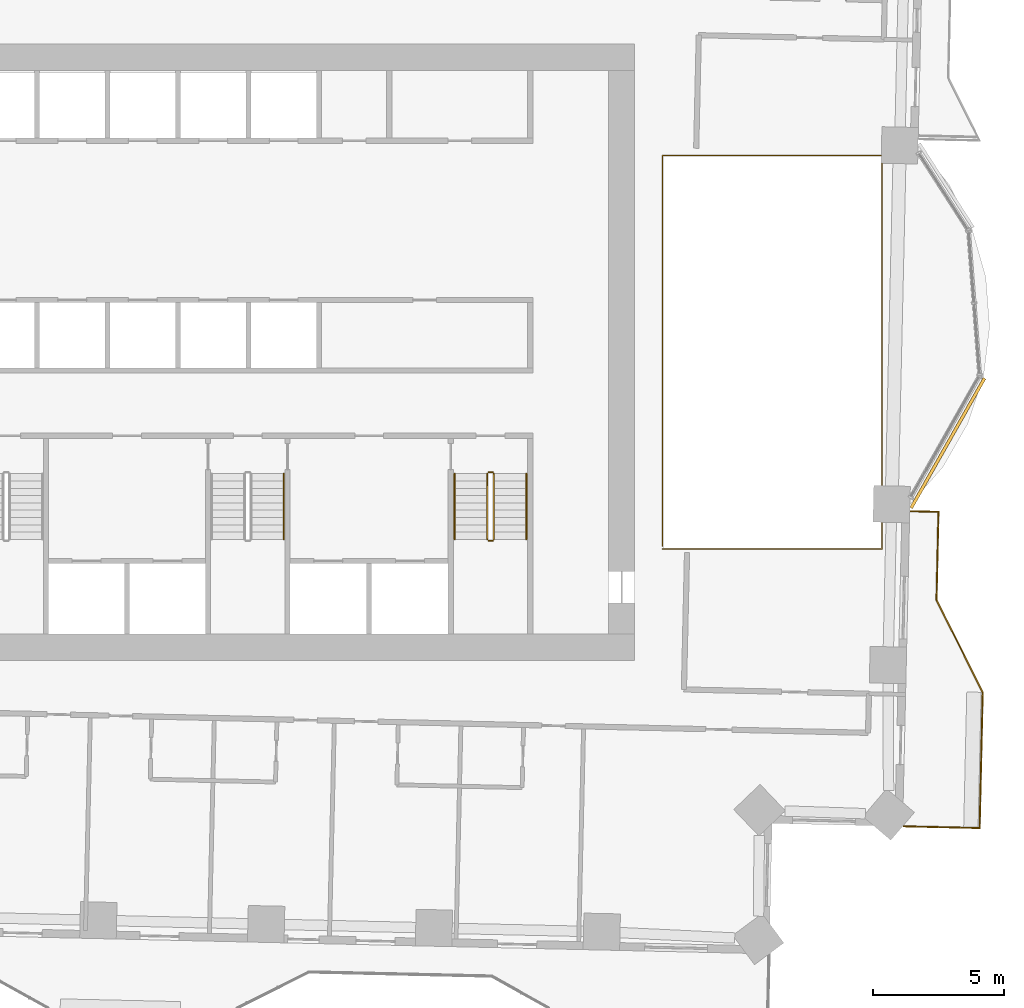
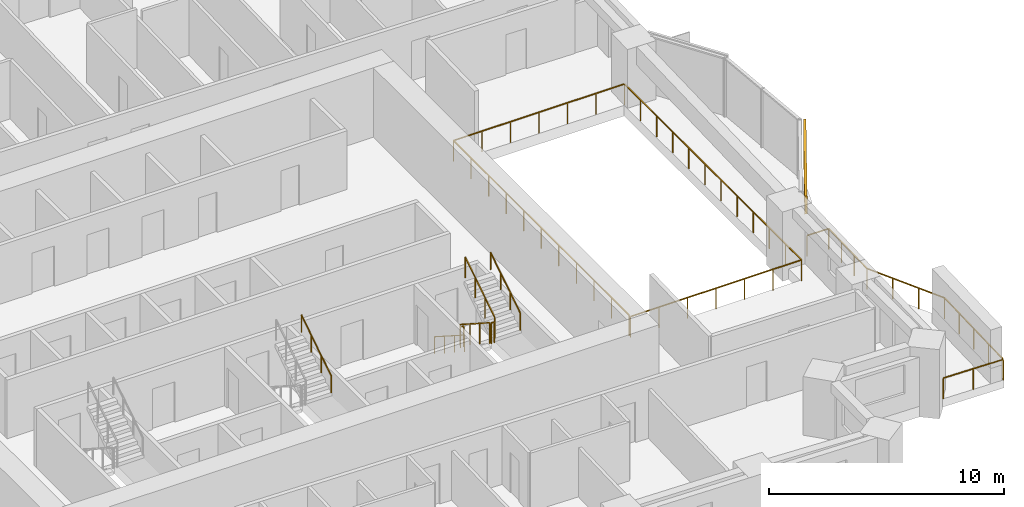
# One storey, part 15 of 16: 9 railings, 1 covering.
"""IFC4 building model written with IfcOpenShell, lengths in metres."""

from ifc_helpers import new_model, si_unit, direction, frame, frame_2d, origin, origin_2d, place, context, subcontext, project, spatial, rectangle, circle, extrude, material, layer, layer_set, type_object, element, save


model = new_model("IFC4")

# Units and contexts
model_context = context("Model", 3, precision=1e-05, world=origin(), true_north=direction((0.0, 1.0)))
body_context = subcontext(model_context, "Body", "Model", "MODEL_VIEW")
ifc_project = project(units=[si_unit("LENGTHUNIT", "METRE"), si_unit("AREAUNIT", "SQUARE_METRE"), si_unit("VOLUMEUNIT", "CUBIC_METRE"), si_unit("PLANEANGLEUNIT", "RADIAN"), si_unit("MASSUNIT", "GRAM", prefix="KILO")], contexts=[model_context])

# Site, building, storey
site_placement = place(None, origin())
site = spatial("IfcSite", under=ifc_project, at=site_placement, CompositionType="ELEMENT")
building_placement = place(site_placement, origin())
building = spatial("IfcBuilding", under=site, at=building_placement, Name="Mangrove Gate Tower", CompositionType="ELEMENT")
storey_placement = place(building_placement, frame((0.0, 0.0, 105.5)))
storey = spatial("IfcBuildingStorey", under=building, at=storey_placement, Name="L26", CompositionType="ELEMENT", Elevation=105.5)

# Railings
ifc_material_1 = material(Name="Stainless steel grade 316 with laminated glass infill", Category="steel")
railing_type_1 = type_object("IfcRailingType", Name="Balcony guard 1100", PredefinedType="GUARDRAIL", material=ifc_material_1)
railing_1_placement = place(storey_placement, frame((25.10107421875, -18.160888671875, 0.0)))
element("IfcRailing", 1, at=railing_1_placement, inside=storey, type_object=railing_type_1, Name="GUARD L26 E1", PredefinedType="GUARDRAIL", context=body_context, shape_type="SweptSolid", body=[
    extrude(rectangle(XDim=0.048095703125, YDim=0.048095703125, at=origin_2d()), frame((0.0, 0.0, 1.076171875), z_axis=(0.999741618984, -0.02273093202, 0.0), x_axis=(0.02273093202, 0.999741618984, 0.0)), (0.0, 0.0, 1.0), 2.91064453125),
    extrude(rectangle(XDim=0.048095703125, YDim=0.048095703125, at=origin_2d()), frame((2.909912109375, -0.066162109375, 1.076171875), z_axis=(0.022675548694, 0.99974287669, 0.0), x_axis=(-0.99974287669, 0.022675548694, 0.0)), (0.0, 0.0, 1.0), 5.2001953125),
    extrude(rectangle(XDim=0.048095703125, YDim=0.048095703125, at=origin_2d()), frame((3.02783203125, 5.1328125, 1.076171875), z_axis=(-0.447114919141, 0.894476522376, 0.0), x_axis=(-0.894476522376, -0.447114919141, 0.0)), (0.0, 0.0, 1.0), 3.958740234375),
    extrude(rectangle(XDim=0.048095703125, YDim=0.048095703125, at=origin_2d()), frame((1.2578125, 8.673828125, 1.076171875), z_axis=(0.022570225841, 0.999745260007, 0.0), x_axis=(-0.999745260007, 0.022570225841, 0.0)), (0.0, 0.0, 1.0), 3.375),
    extrude(rectangle(XDim=0.048095703125, YDim=0.048095703125, at=origin_2d()), frame((1.333984375, 12.0478515625, 1.076171875), z_axis=(-0.999745389313, 0.022564497502, 0.0), x_axis=(-0.022564497502, -0.999745389313, 0.0)), (0.0, 0.0, 1.0), 1.060302734375),
    extrude(rectangle(XDim=0.0419921875, YDim=0.0419921875, at=origin_2d()), origin(), (0.0, 0.0, 1.0), 1.052001953125),
    extrude(rectangle(XDim=0.0419921875, YDim=0.0419921875, at=origin_2d()), frame((1.455078125, -0.033203125, 0.0)), (0.0, 0.0, 1.0), 1.052001953125),
    extrude(rectangle(XDim=0.0419921875, YDim=0.0419921875, at=origin_2d()), frame((2.909912109375, -0.066162109375, 0.0)), (0.0, 0.0, 1.0), 1.052001953125),
    extrude(rectangle(XDim=0.0419921875, YDim=0.0419921875, at=origin_2d()), frame((2.939453125, 1.233642578125, 0.0)), (0.0, 0.0, 1.0), 1.052001953125),
    extrude(rectangle(XDim=0.0419921875, YDim=0.0419921875, at=origin_2d()), frame((2.96875, 2.533203125, 0.0)), (0.0, 0.0, 1.0), 1.052001953125),
    extrude(rectangle(XDim=0.0419921875, YDim=0.0419921875, at=origin_2d()), frame((2.998291015625, 3.8330078125, 0.0)), (0.0, 0.0, 1.0), 1.052001953125),
    extrude(rectangle(XDim=0.0419921875, YDim=0.0419921875, at=origin_2d()), frame((3.02783203125, 5.1328125, 0.0)), (0.0, 0.0, 1.0), 1.052001953125),
    extrude(rectangle(XDim=0.0419921875, YDim=0.0419921875, at=origin_2d()), frame((2.437744140625, 6.313232421875, 0.0)), (0.0, 0.0, 1.0), 1.052001953125),
    extrude(rectangle(XDim=0.0419921875, YDim=0.0419921875, at=origin_2d()), frame((1.847900390625, 7.493408203125, 0.0)), (0.0, 0.0, 1.0), 1.052001953125),
    extrude(rectangle(XDim=0.0419921875, YDim=0.0419921875, at=origin_2d()), frame((1.2578125, 8.673828125, 0.0)), (0.0, 0.0, 1.0), 1.052001953125),
    extrude(rectangle(XDim=0.0419921875, YDim=0.0419921875, at=origin_2d()), frame((1.283203125, 9.798583984375, 0.0)), (0.0, 0.0, 1.0), 1.052001953125),
    extrude(rectangle(XDim=0.0419921875, YDim=0.0419921875, at=origin_2d()), frame((1.30859375, 10.923095703125, 0.0)), (0.0, 0.0, 1.0), 1.052001953125),
    extrude(rectangle(XDim=0.0419921875, YDim=0.0419921875, at=origin_2d()), frame((1.333984375, 12.0478515625, 0.0)), (0.0, 0.0, 1.0), 1.052001953125),
    extrude(rectangle(XDim=0.0419921875, YDim=0.0419921875, at=origin_2d()), frame((0.27392578125, 12.07177734375, 0.0)), (0.0, 0.0, 1.0), 1.052001953125),
])
railing_2_placement = place(storey_placement, frame((15.860107421875, -7.5400390625, 0.0)))
element("IfcRailing", 2, at=railing_2_placement, inside=storey, type_object=railing_type_1, Name="GUARD L26 atrium", PredefinedType="GUARDRAIL", context=body_context, shape_type="SweptSolid", body=[
    extrude(rectangle(XDim=0.048095703125, YDim=0.048095703125, at=origin_2d()), frame((0.0, 0.0, 1.076171875), z_axis=(1.0, 0.0, 0.0), x_axis=(0.0, 1.0, 0.0)), (0.0, 0.0, 1.0), 8.406982421875),
    extrude(rectangle(XDim=0.048095703125, YDim=0.048095703125, at=origin_2d()), frame((8.406982421875, 0.0, 1.076171875), z_axis=(0.0, 1.0, 0.0), x_axis=(-1.0, 0.0, 0.0)), (0.0, 0.0, 1.0), 15.080078125),
    extrude(rectangle(XDim=0.048095703125, YDim=0.048095703125, at=origin_2d()), frame((8.406982421875, 15.080078125, 1.076171875), z_axis=(-1.0, 0.0, 0.0), x_axis=(0.0, -1.0, 0.0)), (0.0, 0.0, 1.0), 8.406982421875),
    extrude(rectangle(XDim=0.048095703125, YDim=0.048095703125, at=origin_2d()), frame((0.0, 15.080078125, 1.076171875), z_axis=(0.0, -1.0, 0.0), x_axis=(1.0, 0.0, 0.0)), (0.0, 0.0, 1.0), 14.9599609375),
    extrude(rectangle(XDim=0.0419921875, YDim=0.0419921875, at=origin_2d()), origin(), (0.0, 0.0, 1.0), 1.052001953125),
    extrude(rectangle(XDim=0.0419921875, YDim=0.0419921875, at=origin_2d()), frame((1.401123046875, 0.0, 0.0)), (0.0, 0.0, 1.0), 1.052001953125),
    extrude(rectangle(XDim=0.0419921875, YDim=0.0419921875, at=origin_2d()), frame((2.80224609375, 0.0, 0.0)), (0.0, 0.0, 1.0), 1.052001953125),
    extrude(rectangle(XDim=0.0419921875, YDim=0.0419921875, at=origin_2d()), frame((4.20361328125, 0.0, 0.0)), (0.0, 0.0, 1.0), 1.052001953125),
    extrude(rectangle(XDim=0.0419921875, YDim=0.0419921875, at=origin_2d()), frame((5.604736328125, 0.0, 0.0)), (0.0, 0.0, 1.0), 1.052001953125),
    extrude(rectangle(XDim=0.0419921875, YDim=0.0419921875, at=origin_2d()), frame((7.005859375, 0.0, 0.0)), (0.0, 0.0, 1.0), 1.052001953125),
    extrude(rectangle(XDim=0.0419921875, YDim=0.0419921875, at=origin_2d()), frame((8.406982421875, 0.0, 0.0)), (0.0, 0.0, 1.0), 1.052001953125),
    extrude(rectangle(XDim=0.0419921875, YDim=0.0419921875, at=origin_2d()), frame((8.406982421875, 1.370849609375, 0.0)), (0.0, 0.0, 1.0), 1.052001953125),
    extrude(rectangle(XDim=0.0419921875, YDim=0.0419921875, at=origin_2d()), frame((8.406982421875, 2.741943359375, 0.0)), (0.0, 0.0, 1.0), 1.052001953125),
    extrude(rectangle(XDim=0.0419921875, YDim=0.0419921875, at=origin_2d()), frame((8.406982421875, 4.11279296875, 0.0)), (0.0, 0.0, 1.0), 1.052001953125),
    extrude(rectangle(XDim=0.0419921875, YDim=0.0419921875, at=origin_2d()), frame((8.406982421875, 5.483642578125, 0.0)), (0.0, 0.0, 1.0), 1.052001953125),
    extrude(rectangle(XDim=0.0419921875, YDim=0.0419921875, at=origin_2d()), frame((8.406982421875, 6.8544921875, 0.0)), (0.0, 0.0, 1.0), 1.052001953125),
    extrude(rectangle(XDim=0.0419921875, YDim=0.0419921875, at=origin_2d()), frame((8.406982421875, 8.2255859375, 0.0)), (0.0, 0.0, 1.0), 1.052001953125),
    extrude(rectangle(XDim=0.0419921875, YDim=0.0419921875, at=origin_2d()), frame((8.406982421875, 9.596435546875, 0.0)), (0.0, 0.0, 1.0), 1.052001953125),
    extrude(rectangle(XDim=0.0419921875, YDim=0.0419921875, at=origin_2d()), frame((8.406982421875, 10.96728515625, 0.0)), (0.0, 0.0, 1.0), 1.052001953125),
    extrude(rectangle(XDim=0.0419921875, YDim=0.0419921875, at=origin_2d()), frame((8.406982421875, 12.338134765625, 0.0)), (0.0, 0.0, 1.0), 1.052001953125),
    extrude(rectangle(XDim=0.0419921875, YDim=0.0419921875, at=origin_2d()), frame((8.406982421875, 13.709228515625, 0.0)), (0.0, 0.0, 1.0), 1.052001953125),
    extrude(rectangle(XDim=0.0419921875, YDim=0.0419921875, at=origin_2d()), frame((8.406982421875, 15.080078125, 0.0)), (0.0, 0.0, 1.0), 1.052001953125),
    extrude(rectangle(XDim=0.0419921875, YDim=0.0419921875, at=origin_2d()), frame((7.005859375, 15.080078125, 0.0)), (0.0, 0.0, 1.0), 1.052001953125),
    extrude(rectangle(XDim=0.0419921875, YDim=0.0419921875, at=origin_2d()), frame((5.604736328125, 15.080078125, 0.0)), (0.0, 0.0, 1.0), 1.052001953125),
    extrude(rectangle(XDim=0.0419921875, YDim=0.0419921875, at=origin_2d()), frame((4.20361328125, 15.080078125, 0.0)), (0.0, 0.0, 1.0), 1.052001953125),
    extrude(rectangle(XDim=0.0419921875, YDim=0.0419921875, at=origin_2d()), frame((2.80224609375, 15.080078125, 0.0)), (0.0, 0.0, 1.0), 1.052001953125),
    extrude(rectangle(XDim=0.0419921875, YDim=0.0419921875, at=origin_2d()), frame((1.401123046875, 15.080078125, 0.0)), (0.0, 0.0, 1.0), 1.052001953125),
    extrude(rectangle(XDim=0.0419921875, YDim=0.0419921875, at=origin_2d()), frame((0.0, 15.080078125, 0.0)), (0.0, 0.0, 1.0), 1.052001953125),
    extrude(rectangle(XDim=0.0419921875, YDim=0.0419921875, at=origin_2d()), frame((0.0, 13.583984375, 0.0)), (0.0, 0.0, 1.0), 1.052001953125),
    extrude(rectangle(XDim=0.0419921875, YDim=0.0419921875, at=origin_2d()), frame((0.0, 12.088134765625, 0.0)), (0.0, 0.0, 1.0), 1.052001953125),
    extrude(rectangle(XDim=0.0419921875, YDim=0.0419921875, at=origin_2d()), frame((0.0, 10.592041015625, 0.0)), (0.0, 0.0, 1.0), 1.052001953125),
    extrude(rectangle(XDim=0.0419921875, YDim=0.0419921875, at=origin_2d()), frame((0.0, 9.09619140625, 0.0)), (0.0, 0.0, 1.0), 1.052001953125),
    extrude(rectangle(XDim=0.0419921875, YDim=0.0419921875, at=origin_2d()), frame((0.0, 7.60009765625, 0.0)), (0.0, 0.0, 1.0), 1.052001953125),
    extrude(rectangle(XDim=0.0419921875, YDim=0.0419921875, at=origin_2d()), frame((0.0, 6.10400390625, 0.0)), (0.0, 0.0, 1.0), 1.052001953125),
    extrude(rectangle(XDim=0.0419921875, YDim=0.0419921875, at=origin_2d()), frame((0.0, 4.608154296875, 0.0)), (0.0, 0.0, 1.0), 1.052001953125),
    extrude(rectangle(XDim=0.0419921875, YDim=0.0419921875, at=origin_2d()), frame((0.0, 3.112060546875, 0.0)), (0.0, 0.0, 1.0), 1.052001953125),
    extrude(rectangle(XDim=0.0419921875, YDim=0.0419921875, at=origin_2d()), frame((0.0, 1.6162109375, 0.0)), (0.0, 0.0, 1.0), 1.052001953125),
    extrude(rectangle(XDim=0.0419921875, YDim=0.0419921875, at=origin_2d()), frame((0.0, 0.1201171875, 0.0)), (0.0, 0.0, 1.0), 1.052001953125),
])
ifc_material_2 = material(Name="Stainless steel 316", Category="steel")
railing_type_2 = type_object("IfcRailingType", Name="Core stair guard 1100", PredefinedType="GUARDRAIL", material=ifc_material_2)
railing_3_placement = place(storey_placement, frame((9.14990234375, -4.64990234375, 0.179931640625)))
element("IfcRailing", 3, at=railing_3_placement, inside=storey, type_object=railing_type_2, Name="L26 ST3 stair guard 1", PredefinedType="GUARDRAIL", context=body_context, shape_type="SweptSolid", body=[
    extrude(rectangle(XDim=0.048095703125, YDim=0.048095703125, at=origin_2d()), frame((0.0, 0.0, 1.076171875), z_axis=(0.0, -0.841162588446, 0.540782303519), x_axis=(1.0, 0.0, 0.0)), (0.0, 0.0, 1.0), 2.995849609375),
    extrude(rectangle(XDim=0.0419921875, YDim=0.0419921875, at=origin_2d()), origin(), (0.0, 0.0, 1.0), 1.052001953125),
    extrude(rectangle(XDim=0.0419921875, YDim=0.0419921875, at=origin_2d()), frame((0.0, -0.840087890625, 0.5400390625)), (0.0, 0.0, 1.0), 1.052001953125),
    extrude(rectangle(XDim=0.0419921875, YDim=0.0419921875, at=origin_2d()), frame((0.0, -1.679931640625, 1.080078125)), (0.0, 0.0, 1.0), 1.052001953125),
    extrude(rectangle(XDim=0.0419921875, YDim=0.0419921875, at=origin_2d()), frame((0.0, -2.52001953125, 1.6201171875)), (0.0, 0.0, 1.0), 1.052001953125),
])
railing_4_placement = place(storey_placement, frame((9.199951171875, -7.219970703125, 1.800048828125)))
element("IfcRailing", 4, at=railing_4_placement, inside=storey, type_object=railing_type_2, Name="L26 ST3 stair guard 2", PredefinedType="GUARDRAIL", context=body_context, shape_type="SweptSolid", body=[
    extrude(rectangle(XDim=0.048095703125, YDim=0.048095703125, at=origin_2d()), frame((0.0, 0.0, 1.076171875), z_axis=(1.0, 0.0, 0.0), x_axis=(0.0, 1.0, 0.0)), (0.0, 0.0, 1.0), 0.150146484375),
    extrude(rectangle(XDim=0.0419921875, YDim=0.0419921875, at=origin_2d()), origin(), (0.0, 0.0, 1.0), 1.052001953125),
    extrude(rectangle(XDim=0.0419921875, YDim=0.0419921875, at=origin_2d()), frame((0.150146484375, 0.0, 0.0)), (0.0, 0.0, 1.0), 1.052001953125),
])
railing_5_placement = place(storey_placement, frame((9.39990234375, -7.169921875, 1.97998046875)))
element("IfcRailing", 5, at=railing_5_placement, inside=storey, type_object=railing_type_2, Name="L26 ST3 stair guard 3", PredefinedType="GUARDRAIL", context=body_context, shape_type="SweptSolid", body=[
    extrude(rectangle(XDim=0.048095703125, YDim=0.048095703125, at=origin_2d()), frame((0.0, 0.0, 1.076171875), z_axis=(0.0, 0.841162588446, 0.540782303519), x_axis=(-1.0, 0.0, 0.0)), (0.0, 0.0, 1.0), 2.995849609375),
    extrude(rectangle(XDim=0.0419921875, YDim=0.0419921875, at=origin_2d()), origin(), (0.0, 0.0, 1.0), 1.052001953125),
    extrude(rectangle(XDim=0.0419921875, YDim=0.0419921875, at=origin_2d()), frame((0.0, 0.840087890625, 0.5400390625)), (0.0, 0.0, 1.0), 1.052001953125),
    extrude(rectangle(XDim=0.0419921875, YDim=0.0419921875, at=origin_2d()), frame((0.0, 1.679931640625, 1.080078125)), (0.0, 0.0, 1.0), 1.052001953125),
    extrude(rectangle(XDim=0.0419921875, YDim=0.0419921875, at=origin_2d()), frame((0.0, 2.52001953125, 1.6201171875)), (0.0, 0.0, 1.0), 1.052001953125),
])
railing_6_placement = place(storey_placement, frame((9.199951171875, -4.60009765625, 0.0)))
element("IfcRailing", 6, at=railing_6_placement, inside=storey, type_object=railing_type_2, Name="L26 ST3 stair guard 4", PredefinedType="GUARDRAIL", context=body_context, shape_type="SweptSolid", body=[
    extrude(rectangle(XDim=0.048095703125, YDim=0.048095703125, at=origin_2d()), frame((0.0, 0.0, 1.076171875), z_axis=(1.0, 0.0, 0.0), x_axis=(0.0, 1.0, 0.0)), (0.0, 0.0, 1.0), 0.150146484375),
    extrude(rectangle(XDim=0.0419921875, YDim=0.0419921875, at=origin_2d()), origin(), (0.0, 0.0, 1.0), 1.052001953125),
    extrude(rectangle(XDim=0.0419921875, YDim=0.0419921875, at=origin_2d()), frame((0.150146484375, 0.0, 0.0)), (0.0, 0.0, 1.0), 1.052001953125),
])
ifc_material_3 = material(Name="Stainless steel 316", Category="steel")
railing_type_3 = type_object("IfcRailingType", Name="Core stair handrail 900", PredefinedType="HANDRAIL", material=ifc_material_3)
railing_7_placement = place(storey_placement, frame((1.35009765625, -7.169921875, 1.97998046875)))
element("IfcRailing", 7, at=railing_7_placement, inside=storey, type_object=railing_type_3, Name="L26 ST2 stair handrail 2", PredefinedType="HANDRAIL", context=body_context, shape_type="SweptSolid", body=[
    extrude(circle(Radius=0.02392578125, at=origin_2d()), frame((0.0, 0.0, 0.8759765625), z_axis=(0.0, 0.841162588446, 0.540782303519), x_axis=(-1.0, 0.0, 0.0)), (0.0, 0.0, 1.0), 2.995849609375),
    extrude(circle(Radius=0.02099609375, at=origin_2d()), origin(), (0.0, 0.0, 1.0), 0.851806640625),
    extrude(circle(Radius=0.02099609375, at=origin_2d()), frame((0.0, 0.840087890625, 0.5400390625)), (0.0, 0.0, 1.0), 0.851806640625),
    extrude(circle(Radius=0.02099609375, at=origin_2d()), frame((0.0, 1.679931640625, 1.080078125)), (0.0, 0.0, 1.0), 0.851806640625),
    extrude(circle(Radius=0.02099609375, at=origin_2d()), frame((0.0, 2.52001953125, 1.6201171875)), (0.0, 0.0, 1.0), 0.851806640625),
])
railing_8_placement = place(storey_placement, frame((7.89990234375, -4.64990234375, 0.179931640625)))
element("IfcRailing", 8, at=railing_8_placement, inside=storey, type_object=railing_type_3, Name="L26 ST3 stair handrail 1", PredefinedType="HANDRAIL", context=body_context, shape_type="SweptSolid", body=[
    extrude(circle(Radius=0.02392578125, at=origin_2d()), frame((0.0, 0.0, 0.8759765625), z_axis=(0.0, -0.841162588446, 0.540782303519), x_axis=(1.0, 0.0, 0.0)), (0.0, 0.0, 1.0), 2.995849609375),
    extrude(circle(Radius=0.02099609375, at=origin_2d()), origin(), (0.0, 0.0, 1.0), 0.851806640625),
    extrude(circle(Radius=0.02099609375, at=origin_2d()), frame((0.0, -0.840087890625, 0.5400390625)), (0.0, 0.0, 1.0), 0.851806640625),
    extrude(circle(Radius=0.02099609375, at=origin_2d()), frame((0.0, -1.679931640625, 1.080078125)), (0.0, 0.0, 1.0), 0.851806640625),
    extrude(circle(Radius=0.02099609375, at=origin_2d()), frame((0.0, -2.52001953125, 1.6201171875)), (0.0, 0.0, 1.0), 0.851806640625),
])
railing_9_placement = place(storey_placement, frame((10.64990234375, -7.169921875, 1.97998046875)))
element("IfcRailing", 9, at=railing_9_placement, inside=storey, type_object=railing_type_3, Name="L26 ST3 stair handrail 2", PredefinedType="HANDRAIL", context=body_context, shape_type="SweptSolid", body=[
    extrude(circle(Radius=0.02392578125, at=origin_2d()), frame((0.0, 0.0, 0.8759765625), z_axis=(0.0, 0.841162588446, 0.540782303519), x_axis=(-1.0, 0.0, 0.0)), (0.0, 0.0, 1.0), 2.995849609375),
    extrude(circle(Radius=0.02099609375, at=origin_2d()), origin(), (0.0, 0.0, 1.0), 0.851806640625),
    extrude(circle(Radius=0.02099609375, at=origin_2d()), frame((0.0, 0.840087890625, 0.5400390625)), (0.0, 0.0, 1.0), 0.851806640625),
    extrude(circle(Radius=0.02099609375, at=origin_2d()), frame((0.0, 1.679931640625, 1.080078125)), (0.0, 0.0, 1.0), 0.851806640625),
    extrude(circle(Radius=0.02099609375, at=origin_2d()), frame((0.0, 2.52001953125, 1.6201171875)), (0.0, 0.0, 1.0), 0.851806640625),
])

# Covering
ifc_material_4 = material(Name="Limestone", Category="masonry")
ifc_layer_1 = layer(ifc_material_4, 0.0400390625, Name="Limestone cladding")
ifc_material_5 = material(Name="Stainless steel anchors and cavity", Category="steel")
ifc_layer_2 = layer(ifc_material_5, 0.080078125, Name="Fixing cavity")
ifc_layer_set = layer_set([ifc_layer_1, ifc_layer_2], Name="Joint fascia cladding 120")
covering_type = type_object("IfcCoveringType", Name="Joint fascia cladding 120", PredefinedType="CLADDING", material=ifc_layer_set)
covering_placement = place(storey_placement, frame((25.38818359375, -5.96484375, 2.10009765625), z_axis=(0.0, 0.0, 1.0), x_axis=(0.492461862622, 0.870334024305, 0.0)))
element("IfcCovering", 10, at=covering_placement, inside=storey, type_object=covering_type, Name="STONE FASCIA L26 E1.L1", PredefinedType="CLADDING", context=body_context, shape_type="SweptSolid", body=[
    extrude(rectangle(XDim=5.70556640625, YDim=0.1201171875, at=frame_2d((2.852783203125, 0.0))), origin(), (0.0, 0.0, 1.0), 0.949951171875),
])

save(model, "model.ifc")
